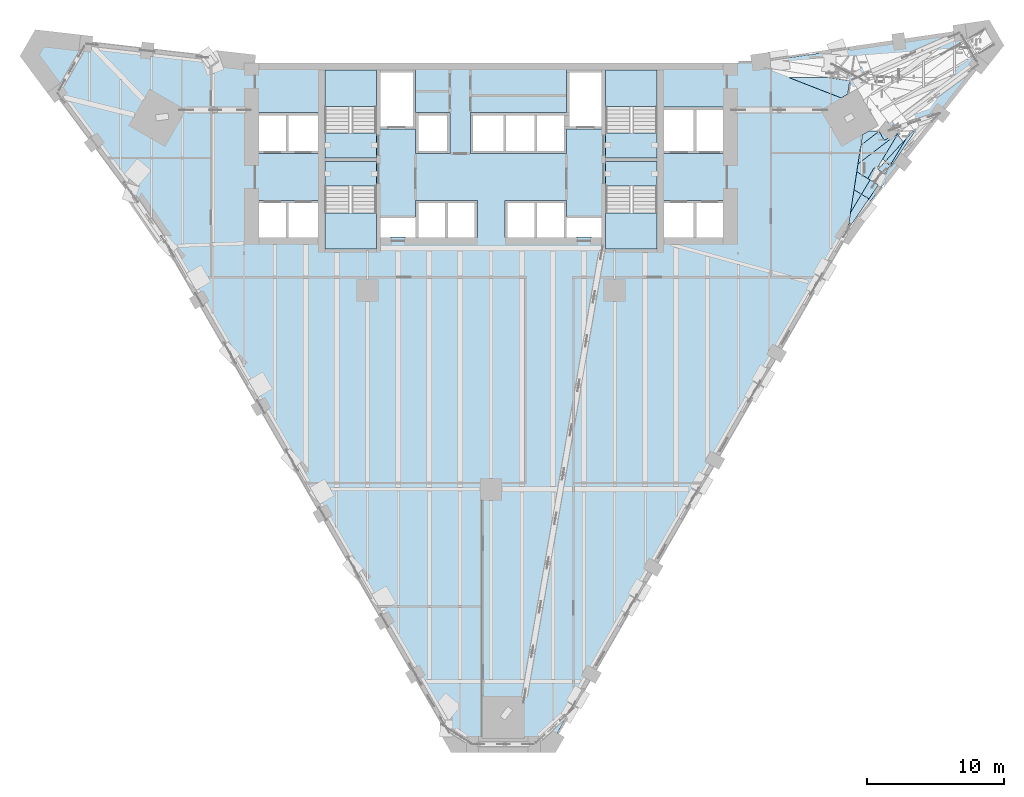
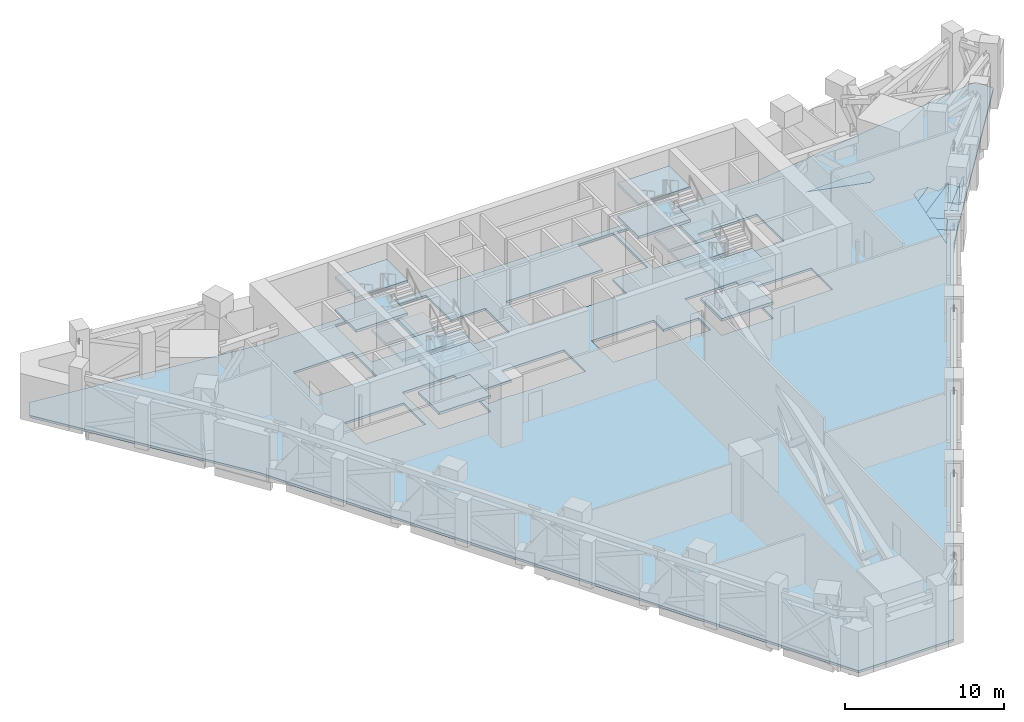
# One storey, part 7 of 22: 13 slabs, 12 plates, 4 elements without a shape of their own.
"""IFC4 building model written with IfcOpenShell, lengths in metres."""

from ifc_helpers import new_model, si_unit, direction, frame, origin, place, context, subcontext, project, spatial, polyline, outline, extrude, material, layer, layer_set, type_object, element, aggregate, save


model = new_model("IFC4")

# Units and contexts
model_context = context("Model", 3, precision=1e-05, world=origin(), true_north=direction((0.0, 1.0)))
body_context = subcontext(model_context, "Body", "Model", "MODEL_VIEW")
ifc_project = project(units=[si_unit("LENGTHUNIT", "METRE"), si_unit("AREAUNIT", "SQUARE_METRE"), si_unit("VOLUMEUNIT", "CUBIC_METRE"), si_unit("PLANEANGLEUNIT", "RADIAN"), si_unit("MASSUNIT", "GRAM", prefix="KILO")], contexts=[model_context])

# Site, building, storey
site_placement = place(None, origin())
site = spatial("IfcSite", under=ifc_project, at=site_placement, CompositionType="ELEMENT")
building_placement = place(site_placement, origin())
building = spatial("IfcBuilding", under=site, at=building_placement, Name="Calabash Gate Tower", CompositionType="ELEMENT")
storey_placement = place(building_placement, frame((0.0, 0.0, 86.800048828125)))
storey = spatial("IfcBuildingStorey", under=building, at=storey_placement, Name="L18", CompositionType="ELEMENT", Elevation=86.800048828125)

# Slab
ifc_material_1 = material(Name="Concrete C40/50", Category="concrete")
ifc_layer_1 = layer(ifc_material_1, 0.169921875)
ifc_layer_set_1 = layer_set([ifc_layer_1], Name="Composite floor slab 170 Concrete C40/50")
slab_type_1 = type_object("IfcSlabType", Name="Composite floor slab 170 Concrete C40/50", PredefinedType="FLOOR", material=ifc_layer_set_1)
slab_1_placement = place(storey_placement, frame((0.0, 0.0, -0.170166015625)))
element("IfcSlab", 1, at=slab_1_placement, inside=storey, type_object=slab_type_1, Name="Floor slab L18", PredefinedType="FLOOR", context=body_context, shape_type="SweptSolid", body=[
    extrude(outline(polyline([(19.0, 19.052490234375), (35.982177734375, 21.54150390625), (36.646484375, 20.390625), (26.0, 6.92822265625), (4.34814453125, -30.573974609375), (-2.55810546875, -30.573974609375), (-24.2099609375, 6.92822265625), (-33.6025390625, 19.606201171875), (-32.8857421875, 20.84765625), (-17.2099609375, 19.052490234375), (19.0, 19.052490234375)]), holes=[polyline([(-5.5, 9.052490234375), (-5.5, 7.8525390625), (-8.050048828125, 7.8525390625), (-8.050048828125, 6.3525390625), (-7.324951171875, 6.3525390625), (-7.324951171875, 6.402587890625), (-6.22509765625, 6.402587890625), (-6.22509765625, 6.3525390625), (-5.5, 6.3525390625), (-3.25, 6.3525390625), (-1.0, 6.3525390625), (-1.0, 9.052490234375), (-3.25, 9.052490234375), (-5.5, 9.052490234375)]), polyline([(5.5, 9.052490234375), (3.25, 9.052490234375), (1.0, 9.052490234375), (1.0, 6.3525390625), (3.25, 6.3525390625), (5.5, 6.3525390625), (6.22509765625, 6.3525390625), (6.22509765625, 6.402587890625), (7.324951171875, 6.402587890625), (7.324951171875, 6.3525390625), (8.050048828125, 6.3525390625), (8.050048828125, 7.8525390625), (5.5, 7.8525390625), (5.5, 9.052490234375)]), polyline([(-5.5, 14.252685546875), (-5.5, 12.45263671875), (-3.0, 12.45263671875), (-3.0, 15.45263671875), (-5.5, 15.45263671875), (-5.5, 18.552490234375), (-8.050048828125, 18.552490234375), (-8.050048828125, 14.252685546875), (-5.5, 14.252685546875)]), polyline([(8.050048828125, 18.552490234375), (5.5, 18.552490234375), (5.5, 15.45263671875), (3.25, 15.45263671875), (1.0, 15.45263671875), (-1.5, 15.45263671875), (-1.5, 12.45263671875), (1.0, 12.45263671875), (3.25, 12.45263671875), (5.5, 12.45263671875), (5.5, 14.252685546875), (8.050048828125, 14.252685546875), (8.050048828125, 18.552490234375)]), polyline([(-12.60009765625, 6.3525390625), (-12.60009765625, 9.052490234375), (-14.85009765625, 9.052490234375), (-16.89990234375, 9.052490234375), (-16.89990234375, 6.3525390625), (-14.85009765625, 6.3525390625), (-12.60009765625, 6.3525390625)]), polyline([(-14.85009765625, 12.45263671875), (-12.60009765625, 12.45263671875), (-12.60009765625, 15.45263671875), (-14.85009765625, 15.45263671875), (-16.89990234375, 15.45263671875), (-16.89990234375, 12.45263671875), (-14.85009765625, 12.45263671875)]), polyline([(14.85009765625, 6.3525390625), (16.89990234375, 6.3525390625), (16.89990234375, 9.052490234375), (14.85009765625, 9.052490234375), (12.60009765625, 9.052490234375), (12.60009765625, 6.3525390625), (14.85009765625, 6.3525390625)]), polyline([(14.85009765625, 12.45263671875), (16.89990234375, 12.45263671875), (16.89990234375, 15.8525390625), (14.85009765625, 15.8525390625), (12.60009765625, 15.8525390625), (12.60009765625, 12.45263671875), (14.85009765625, 12.45263671875)]), polyline([(-8.35009765625, 18.552490234375), (-12.10009765625, 18.552490234375), (-12.10009765625, 13.95263671875), (-8.35009765625, 13.95263671875), (-8.35009765625, 18.552490234375)]), polyline([(-12.10009765625, 10.1025390625), (-12.10009765625, 5.502685546875), (-8.35009765625, 5.502685546875), (-8.35009765625, 10.1025390625), (-12.10009765625, 10.1025390625)]), polyline([(8.35009765625, 13.95263671875), (12.10009765625, 13.95263671875), (12.10009765625, 18.552490234375), (8.35009765625, 18.552490234375), (8.35009765625, 13.95263671875)]), polyline([(12.10009765625, 5.502685546875), (12.10009765625, 10.1025390625), (8.35009765625, 10.1025390625), (8.35009765625, 5.502685546875), (12.10009765625, 5.502685546875)])]), origin(), (0.0, 0.0, 1.0), 0.170166015625),
])

# Plates
ifc_material_2 = material(Name="Dark tinted laminated glass", Category="glass")
ifc_layer_2 = layer(ifc_material_2, 0.030029296875)
ifc_layer_set_2 = layer_set([ifc_layer_2], Name="Dark glass soffit plate 30")
plate_type_1 = type_object("IfcPlateType", Name="Dark glass soffit plate 30", PredefinedType="SHEET", material=ifc_layer_set_2)
plate_1_placement = place(storey_placement, frame((25.508056640625, 16.51708984375, -0.98095703125), z_axis=(-0.035481685117, 0.112311775759, 0.993039332075), x_axis=(-0.929231524448, 0.361983115533, -0.074141742903)))
element("IfcPlate", 2, at=plate_1_placement, inside=storey, type_object=plate_type_1, Name="Dark glass soffit SOF-Z2-NE-06", PredefinedType="SHEET", context=body_context, shape_type="SweptSolid", body=[
    extrude(outline(polyline([(0.0, 0.0), (4.126953125, 0.0), (1.49267578125, -1.030517578125), (-0.119384765625, -1.388916015625), (-0.339111328125, -0.426513671875), (0.0, 0.0)])), origin(), (0.0, 0.0, -1.0), 0.030029296875),
])
plate_2_placement = place(storey_placement, frame((27.452880859375, 10.64501953125, -0.880126953125), z_axis=(0.040064184189, -0.018585482349, 0.999024244446), x_axis=(-0.856301915539, 0.514605269628, 0.043914074223)))
element("IfcPlate", 3, at=plate_2_placement, inside=storey, type_object=plate_type_1, Name="Dark glass soffit SOF-Z2-NE-09", PredefinedType="SHEET", context=body_context, shape_type="SweptSolid", body=[
    extrude(outline(polyline([(0.0, 0.0), (0.944580078125, 0.0), (1.1650390625, -0.537353515625), (-0.156982421875, -3.891357421875), (-0.19677734375, -3.87548828125), (-0.194091796875, -0.90283203125), (0.01611328125, -0.899169921875), (0.0, 0.0)])), origin(), (0.0, 0.0, -1.0), 0.030029296875),
])
plate_3_placement = place(storey_placement, frame((26.94091796875, 13.069091796875, -0.81396484375), z_axis=(0.040077939255, -0.018355391648, 0.999027946748), x_axis=(0.793281330332, 0.608505188639, -0.020643796781)))
element("IfcPlate", 4, at=plate_3_placement, inside=storey, type_object=plate_type_1, Name="Dark glass soffit SOF-Z2-NE-13", PredefinedType="SHEET", context=body_context, shape_type="SweptSolid", body=[
    extrude(outline(polyline([(0.0, 0.0), (1.67431640625, 0.0), (1.57421875, -0.76123046875), (2.609375, -0.897216796875), (2.60986328125, -0.95458984375), (-0.995361328125, -0.955810546875), (0.0, 0.0)])), origin(), (0.0, 0.0, -1.0), 0.030029296875),
])
plate_4_placement = place(storey_placement, frame((26.0, 6.927978515625, -0.89013671875), z_axis=(0.039884182004, -0.018456700977, 0.999033834369), x_axis=(0.151212909482, 0.988425633358, 0.012223883445)))
element("IfcPlate", 5, at=plate_4_placement, inside=storey, type_object=plate_type_1, Name="Dark glass soffit SOF-Z2-NE-16", PredefinedType="SHEET", context=body_context, shape_type="SweptSolid", body=[
    extrude(outline(polyline([(0.0, 0.0), (1.2626953125, 0.0), (2.688720703125, -0.587646484375), (2.4462890625, -1.175537109375), (0.0, 0.0)])), origin(), (0.0, 0.0, -1.0), 0.030029296875),
])
plate_5_placement = place(storey_placement, frame((26.64404296875, 11.131103515625, -0.838134765625), z_axis=(0.040200404182, -0.018428557359, 0.999021679333), x_axis=(0.855943743497, -0.515198021417, -0.043946634636)))
element("IfcPlate", 6, at=plate_5_placement, inside=storey, type_object=plate_type_1, Name="Dark glass soffit SOF-Z2-NE-17", PredefinedType="SHEET", context=body_context, shape_type="SweptSolid", body=[
    extrude(outline(polyline([(0.0, 0.0), (1.1376953125, 0.0), (1.137451171875, -1.22314453125), (0.5029296875, -1.22314453125), (0.0, 0.0)])), origin(), (0.0, 0.0, -1.0), 0.030029296875),
])
plate_6_placement = place(storey_placement, frame((28.719970703125, 11.888916015625, -0.906982421875), z_axis=(0.038841758088, -0.017622205386, 0.999089973779), x_axis=(-0.736771351677, 0.674925055089, 0.040548062349)))
element("IfcPlate", 7, at=plate_6_placement, inside=storey, type_object=plate_type_1, Name="Dark glass soffit SOF-Z2-NE-20", PredefinedType="SHEET", context=body_context, shape_type="SweptSolid", body=[
    extrude(outline(polyline([(0.0, 0.0), (0.25634765625, 0.0), (0.673583984375, -2.06396484375), (0.000244140625, -1.9453125), (0.0, 0.0)])), origin(), (0.0, 0.0, -1.0), 0.030029296875),
])
plate_7_placement = place(storey_placement, frame((27.05810546875, 13.83203125, -0.804931640625), z_axis=(0.040329666067, -0.018958179275, 0.999006559275), x_axis=(0.8653506896, 0.500520942507, -0.025435607351)))
element("IfcPlate", 8, at=plate_7_placement, inside=storey, type_object=plate_type_1, Name="Dark glass soffit SOF-Z2-NE-28", PredefinedType="SHEET", context=body_context, shape_type="SweptSolid", body=[
    extrude(outline(polyline([(0.0, 0.0), (0.5615234375, 0.0), (1.176513671875, -0.355712890625), (1.177001953125, -0.385009765625), (-0.483154296875, -0.60205078125), (0.0, 0.0)])), origin(), (0.0, 0.0, -1.0), 0.030029296875),
])
plate_8_placement = place(storey_placement, frame((30.251953125, 13.56298828125, -0.93798828125), z_axis=(0.040013852152, -0.018521166805, 0.999027456087), x_axis=(0.674732149, 0.737942045898, -0.013344062414)))
element("IfcPlate", 9, at=plate_8_placement, inside=storey, type_object=plate_type_1, Name="Dark glass soffit SOF-Z2-NE-29", PredefinedType="SHEET", context=body_context, shape_type="SweptSolid", body=[
    extrude(outline(polyline([(0.0, 0.0), (0.745361328125, 0.0), (0.8486328125, -0.113037109375), (-2.27001953125, -0.557373046875), (-2.26904296875, -0.457275390625), (0.0, 0.0)])), origin(), (0.0, 0.0, -1.0), 0.030029296875),
])
plate_9_placement = place(storey_placement, frame((29.05810546875, 11.580078125, -0.927001953125), z_axis=(0.041421267243, -0.019403730184, 0.998953339188), x_axis=(-0.7376655372, 0.673752277659, 0.043674060686)))
element("IfcPlate", 10, at=plate_9_placement, inside=storey, type_object=plate_type_1, Name="Dark glass soffit SOF-Z2-NE-30", PredefinedType="SHEET", context=body_context, shape_type="SweptSolid", body=[
    extrude(outline(polyline([(0.0, 0.0), (0.45849609375, 0.0), (0.454833984375, -2.26953125), (0.0, 0.0)])), origin(), (0.0, 0.0, -1.0), 0.030029296875),
])
plate_10_placement = place(storey_placement, frame((26.444091796875, 9.823974609375, -0.85400390625), z_axis=(0.040269483151, -0.018914710781, 0.999009810984), x_axis=(0.855870801998, -0.51529271757, -0.044255909276)))
element("IfcPlate", 11, at=plate_10_placement, inside=storey, type_object=plate_type_1, Name="Dark glass soffit SOF-Z2-NE-31", PredefinedType="SHEET", context=body_context, shape_type="SweptSolid", body=[
    extrude(outline(polyline([(0.0, 0.0), (0.634521484375, 0.0), (0.63330078125, -1.54248046875), (0.0, 0.0)])), origin(), (0.0, 0.0, -1.0), 0.030029296875),
])
ifc_material_3 = material(Name="Dark bronze anodised aluminium panel", Category="aluminium")
ifc_layer_3 = layer(ifc_material_3, 0.030029296875)
ifc_layer_set_3 = layer_set([ifc_layer_3], Name="Dark soffit panel plate 30")
plate_type_2 = type_object("IfcPlateType", Name="Dark soffit panel plate 30", PredefinedType="SHEET", material=ifc_layer_set_3)
plate_11_placement = place(storey_placement, frame((27.531005859375, 9.1689453125, -0.91015625), z_axis=(0.040066502115, -0.018470693882, 0.999026280373), x_axis=(-0.855446910928, 0.516030866963, 0.043848910187)))
element("IfcPlate", 12, at=plate_11_placement, inside=storey, type_object=plate_type_2, Name="Dark soffit panel SOF-Z2-NE-22", PredefinedType="SHEET", context=body_context, shape_type="SweptSolid", body=[
    extrude(outline(polyline([(0.0, 0.0), (0.635986328125, 0.0), (0.63671875, -1.22314453125), (-0.0634765625, -1.2236328125), (-0.0634765625, -1.126708984375), (0.0, 0.0)])), origin(), (0.0, 0.0, -1.0), 0.030029296875),
])
plate_12_placement = place(storey_placement, frame((28.68994140625, 10.968994140625, -0.923095703125), z_axis=(0.040477038912, -0.019021000106, 0.998999404843), x_axis=(-0.865186459385, 0.499466055343, 0.044565121519)))
element("IfcPlate", 13, at=plate_12_placement, inside=storey, type_object=plate_type_2, Name="Dark soffit panel SOF-Z2-NE-35", PredefinedType="SHEET", context=body_context, shape_type="SweptSolid", body=[
    extrude(outline(polyline([(0.0, 0.0), (0.330322265625, 0.0), (0.600830078125, -0.059814453125), (0.434326171875, -0.811767578125), (-0.013427734375, -0.71337890625), (0.0, 0.0)])), origin(), (0.0, 0.0, -1.0), 0.030029296875),
])

# Stair, slabs
ifc_material_4 = material(Name="Concrete C40/50", Category="concrete")
stair_type = type_object("IfcStairType", Name="Exit stair 32 risers of 156.2 mm", PredefinedType="HALF_TURN_STAIR", material=ifc_material_4)
stair_1_placement = place(storey_placement, origin())
stair_1 = element("IfcStair", 14, at=stair_1_placement, inside=storey, type_object=stair_type, Name="L18 Exit stair ST1", PredefinedType="HALF_TURN_STAIR")
ifc_material_5 = material(Name="Concrete C40/50", Category="concrete")
ifc_layer_4 = layer(ifc_material_5, 0.199951171875)
ifc_layer_set_4 = layer_set([ifc_layer_4], Name="Stair landing SL200")
slab_type_2 = type_object("IfcSlabType", Name="Stair landing SL200", PredefinedType="LANDING", material=ifc_layer_set_4)
slab_2_placement = place(storey_placement, frame((0.0, 0.0, 1.050048828125)))
slab_2 = element("IfcSlab", 15, at=slab_2_placement, type_object=slab_type_2, Name="ST1 landing 1", PredefinedType="LANDING", context=body_context, shape_type="SweptSolid", body=[
    extrude(outline(polyline([(-8.35009765625, 15.905517578125), (-8.35009765625, 18.552490234375), (-12.10009765625, 18.552490234375), (-12.10009765625, 15.905517578125), (-8.35009765625, 15.905517578125)])), origin(), (0.0, 0.0, 1.0), 0.199951171875),
])
slab_3_placement = place(storey_placement, frame((0.0, 0.0, 2.300048828125)))
slab_3 = element("IfcSlab", 16, at=slab_3_placement, type_object=slab_type_2, Name="ST1 landing 2", PredefinedType="LANDING", context=body_context, shape_type="SweptSolid", body=[
    extrude(outline(polyline([(-8.35009765625, 12.152587890625), (-8.35009765625, 13.95263671875), (-12.10009765625, 13.95263671875), (-12.10009765625, 12.152587890625), (-8.35009765625, 12.152587890625)])), origin(), (0.0, 0.0, 1.0), 0.199951171875),
])
slab_4_placement = place(storey_placement, frame((0.0, 0.0, 3.550048828125)))
slab_4 = element("IfcSlab", 17, at=slab_4_placement, type_object=slab_type_2, Name="ST1 landing 3", PredefinedType="LANDING", context=body_context, shape_type="SweptSolid", body=[
    extrude(outline(polyline([(-8.35009765625, 15.905517578125), (-8.35009765625, 18.552490234375), (-12.10009765625, 18.552490234375), (-12.10009765625, 15.905517578125), (-8.35009765625, 15.905517578125)])), origin(), (0.0, 0.0, 1.0), 0.199951171875),
])
aggregate(stair_1, [slab_2, slab_3, slab_4])

stair_2_placement = place(storey_placement, origin())
stair_2 = element("IfcStair", 18, at=stair_2_placement, inside=storey, type_object=stair_type, Name="L18 Exit stair ST2", PredefinedType="HALF_TURN_STAIR")
slab_5_placement = place(storey_placement, frame((0.0, 0.0, 1.050048828125)))
slab_5 = element("IfcSlab", 19, at=slab_5_placement, type_object=slab_type_2, Name="ST2 landing 1", PredefinedType="LANDING", context=body_context, shape_type="SweptSolid", body=[
    extrude(outline(polyline([(-12.10009765625, 8.149658203125), (-12.10009765625, 5.502685546875), (-8.35009765625, 5.502685546875), (-8.35009765625, 8.149658203125), (-12.10009765625, 8.149658203125)])), origin(), (0.0, 0.0, 1.0), 0.199951171875),
])
slab_6_placement = place(storey_placement, frame((0.0, 0.0, 2.300048828125)))
slab_6 = element("IfcSlab", 20, at=slab_6_placement, type_object=slab_type_2, Name="ST2 landing 2", PredefinedType="LANDING", context=body_context, shape_type="SweptSolid", body=[
    extrude(outline(polyline([(-12.10009765625, 11.902587890625), (-12.10009765625, 10.1025390625), (-8.35009765625, 10.1025390625), (-8.35009765625, 11.902587890625), (-12.10009765625, 11.902587890625)])), origin(), (0.0, 0.0, 1.0), 0.199951171875),
])
slab_7_placement = place(storey_placement, frame((0.0, 0.0, 3.550048828125)))
slab_7 = element("IfcSlab", 21, at=slab_7_placement, type_object=slab_type_2, Name="ST2 landing 3", PredefinedType="LANDING", context=body_context, shape_type="SweptSolid", body=[
    extrude(outline(polyline([(-12.10009765625, 8.149658203125), (-12.10009765625, 5.502685546875), (-8.35009765625, 5.502685546875), (-8.35009765625, 8.149658203125), (-12.10009765625, 8.149658203125)])), origin(), (0.0, 0.0, 1.0), 0.199951171875),
])
aggregate(stair_2, [slab_5, slab_6, slab_7])

stair_3_placement = place(storey_placement, origin())
stair_3 = element("IfcStair", 22, at=stair_3_placement, inside=storey, type_object=stair_type, Name="L18 Exit stair ST3", PredefinedType="HALF_TURN_STAIR")
slab_8_placement = place(storey_placement, frame((0.0, 0.0, 1.050048828125)))
slab_8 = element("IfcSlab", 23, at=slab_8_placement, type_object=slab_type_2, Name="ST3 landing 1", PredefinedType="LANDING", context=body_context, shape_type="SweptSolid", body=[
    extrude(outline(polyline([(12.10009765625, 15.905517578125), (12.10009765625, 18.552490234375), (8.35009765625, 18.552490234375), (8.35009765625, 15.905517578125), (12.10009765625, 15.905517578125)])), origin(), (0.0, 0.0, 1.0), 0.199951171875),
])
slab_9_placement = place(storey_placement, frame((0.0, 0.0, 2.300048828125)))
slab_9 = element("IfcSlab", 24, at=slab_9_placement, type_object=slab_type_2, Name="ST3 landing 2", PredefinedType="LANDING", context=body_context, shape_type="SweptSolid", body=[
    extrude(outline(polyline([(12.10009765625, 12.152587890625), (12.10009765625, 13.95263671875), (8.35009765625, 13.95263671875), (8.35009765625, 12.152587890625), (12.10009765625, 12.152587890625)])), origin(), (0.0, 0.0, 1.0), 0.199951171875),
])
slab_10_placement = place(storey_placement, frame((0.0, 0.0, 3.550048828125)))
slab_10 = element("IfcSlab", 25, at=slab_10_placement, type_object=slab_type_2, Name="ST3 landing 3", PredefinedType="LANDING", context=body_context, shape_type="SweptSolid", body=[
    extrude(outline(polyline([(12.10009765625, 15.905517578125), (12.10009765625, 18.552490234375), (8.35009765625, 18.552490234375), (8.35009765625, 15.905517578125), (12.10009765625, 15.905517578125)])), origin(), (0.0, 0.0, 1.0), 0.199951171875),
])
aggregate(stair_3, [slab_8, slab_9, slab_10])

stair_4_placement = place(storey_placement, origin())
stair_4 = element("IfcStair", 26, at=stair_4_placement, inside=storey, type_object=stair_type, Name="L18 Exit stair ST4", PredefinedType="HALF_TURN_STAIR")
slab_11_placement = place(storey_placement, frame((0.0, 0.0, 1.050048828125)))
slab_11 = element("IfcSlab", 27, at=slab_11_placement, type_object=slab_type_2, Name="ST4 landing 1", PredefinedType="LANDING", context=body_context, shape_type="SweptSolid", body=[
    extrude(outline(polyline([(8.35009765625, 8.149658203125), (8.35009765625, 5.502685546875), (12.10009765625, 5.502685546875), (12.10009765625, 8.149658203125), (8.35009765625, 8.149658203125)])), origin(), (0.0, 0.0, 1.0), 0.199951171875),
])
slab_12_placement = place(storey_placement, frame((0.0, 0.0, 2.300048828125)))
slab_12 = element("IfcSlab", 28, at=slab_12_placement, type_object=slab_type_2, Name="ST4 landing 2", PredefinedType="LANDING", context=body_context, shape_type="SweptSolid", body=[
    extrude(outline(polyline([(8.35009765625, 11.902587890625), (8.35009765625, 10.1025390625), (12.10009765625, 10.1025390625), (12.10009765625, 11.902587890625), (8.35009765625, 11.902587890625)])), origin(), (0.0, 0.0, 1.0), 0.199951171875),
])
slab_13_placement = place(storey_placement, frame((0.0, 0.0, 3.550048828125)))
slab_13 = element("IfcSlab", 29, at=slab_13_placement, type_object=slab_type_2, Name="ST4 landing 3", PredefinedType="LANDING", context=body_context, shape_type="SweptSolid", body=[
    extrude(outline(polyline([(8.35009765625, 8.149658203125), (8.35009765625, 5.502685546875), (12.10009765625, 5.502685546875), (12.10009765625, 8.149658203125), (8.35009765625, 8.149658203125)])), origin(), (0.0, 0.0, 1.0), 0.199951171875),
])
aggregate(stair_4, [slab_11, slab_12, slab_13])

save(model, "model.ifc")
